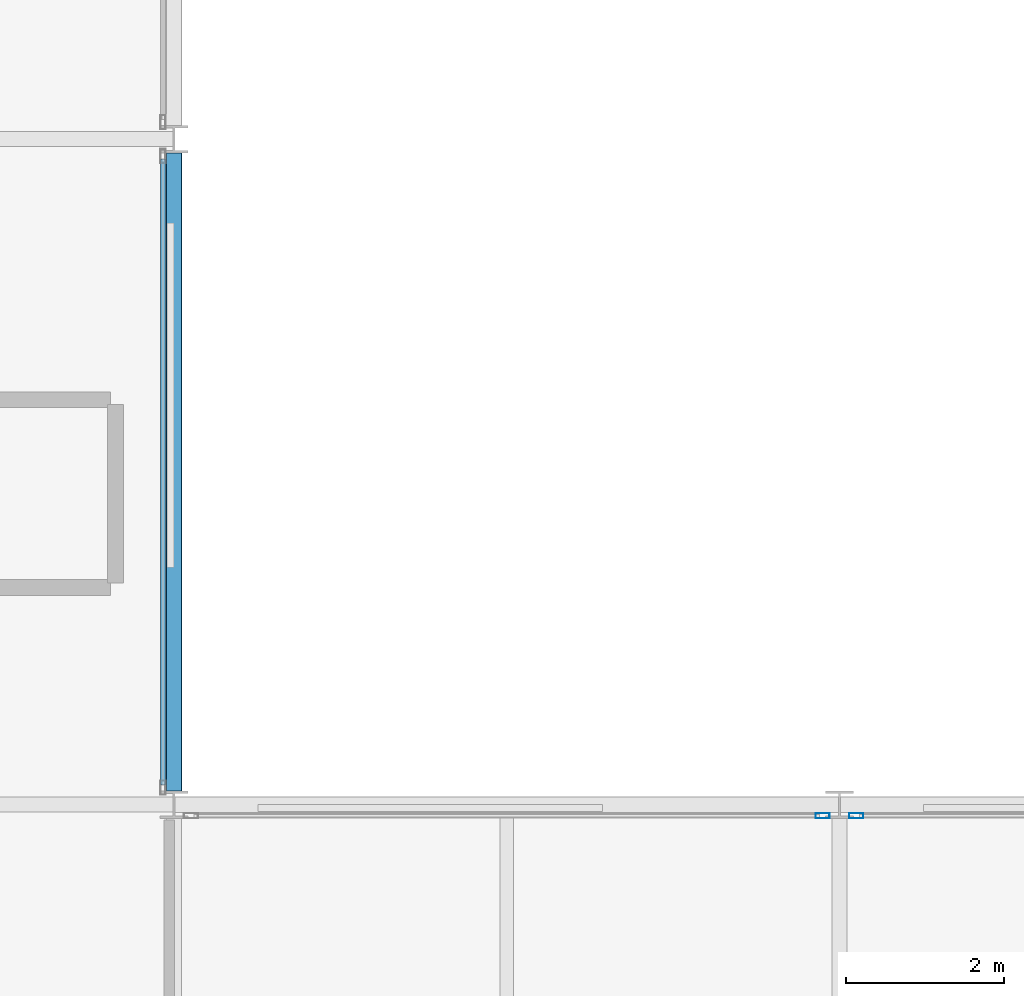
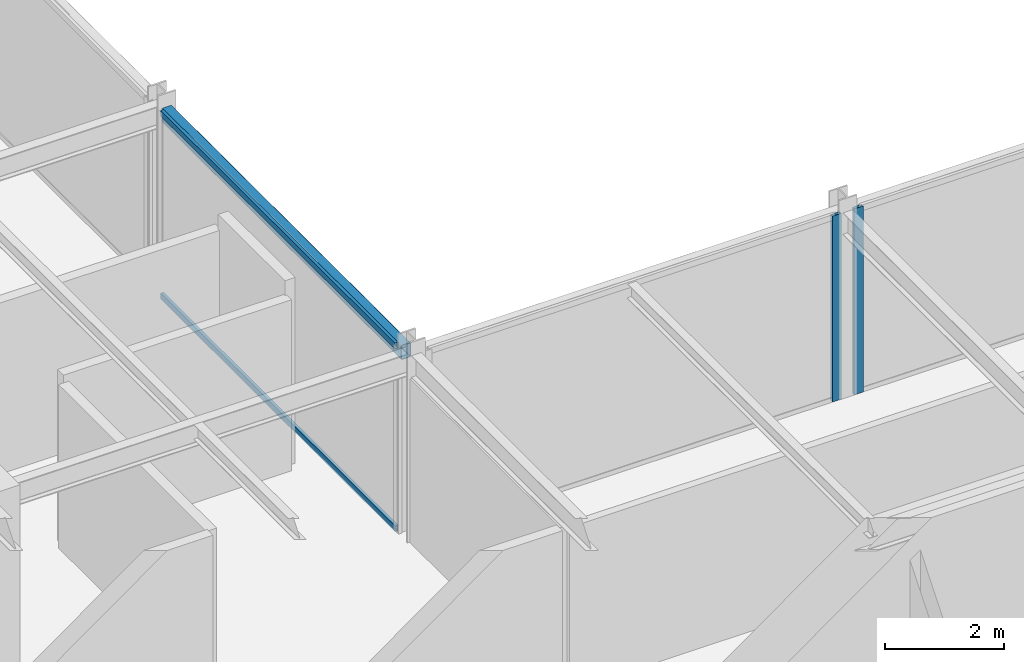
# One storey, part 15 of 29: 4 members, 1 beam, 3 elements without a shape of their own.
"""IFC4 building model written with IfcOpenShell, lengths in metres."""

from ifc_helpers import new_model, si_unit, direction, frame, origin, origin_2d, place, context, subcontext, project, spatial, hollow_rectangle, extrude, material, layer, layer_set, material_profile, profile_set, type_object, element, aggregate, save


model = new_model("IFC4")

# Units and contexts
model_context = context("Model", 3, precision=1e-05, world=origin(), true_north=direction((0.0, 1.0)))
body_context = subcontext(model_context, "Body", "Model", "MODEL_VIEW")
ifc_project = project(units=[si_unit("LENGTHUNIT", "METRE"), si_unit("AREAUNIT", "SQUARE_METRE"), si_unit("VOLUMEUNIT", "CUBIC_METRE"), si_unit("PLANEANGLEUNIT", "RADIAN"), si_unit("MASSUNIT", "GRAM", prefix="KILO")], contexts=[model_context])

# Site, building, storey
site_placement = place(None, origin())
site = spatial("IfcSite", under=ifc_project, at=site_placement, CompositionType="ELEMENT")
building_placement = place(site_placement, origin())
building = spatial("IfcBuilding", under=site, at=building_placement, Name="Nerrivon Quay Data Exchange", CompositionType="ELEMENT")
storey_placement = place(building_placement, frame((0.0, 0.0, 183.699951171875)))
storey = spatial("IfcBuildingStorey", under=building, at=storey_placement, Name="L43", CompositionType="ELEMENT", Elevation=183.699951171875)

# Beam
ifc_material_1 = material(Name="Steel Grade C350L0 (350 MPa)", Category="steel")
ifc_material_profile_1 = material_profile(ifc_material_1, hollow_rectangle(XDim=0.199951171875, YDim=0.300048828125, WallThickness=0.012451171875, InnerFilletRadius=0.018798828125, OuterFilletRadius=0.03125, at=origin_2d()), Name="300x200x12.5RHS")
ifc_profile_set_1 = profile_set([ifc_material_profile_1], Name="Steel Grade C350L0 (350 MPa)")
beam_type = type_object("IfcBeamType", Name="BM-SP3-300x200RHS", PredefinedType="SPANDREL", material=ifc_profile_set_1)
beam_placement = place(storey_placement, frame((25.199951171875, 25.375, 3.675048828125), z_axis=(0.0, 1.0, 0.0), x_axis=(-1.0, 0.0, 0.0)))
element("IfcBeam", 1, at=beam_placement, inside=storey, type_object=beam_type, Name="L43 NS Girder X=25.2 (25.2..33.6)", PredefinedType="SPANDREL", context=body_context, shape_type="SweptSolid", body=[
    extrude(hollow_rectangle(XDim=0.199951171875, YDim=0.300048828125, WallThickness=0.012451171875, InnerFilletRadius=0.018798828125, OuterFilletRadius=0.03125, at=origin_2d()), origin(), (0.0, 0.0, 1.0), 8.050048828125),
])

# Curtain wall, member
ifc_material_2 = material(Name="Anodised aluminium 6063-T6", Category="aluminium")
ifc_layer = layer(ifc_material_2, 0.195068359375)
ifc_layer_set = layer_set([ifc_layer], Name="Anodised aluminium 6063-T6")
curtain_wall_type = type_object("IfcCurtainWallType", Name="CW-SYS-06", PredefinedType="NOTDEFINED", material=ifc_layer_set)
curtain_wall_1_placement = place(storey_placement, origin())
curtain_wall_1 = element("IfcCurtainWall", 2, at=curtain_wall_1_placement, inside=storey, type_object=curtain_wall_type, Name="L43 Unitised Curtain Wall 16", PredefinedType="NOTDEFINED")
ifc_material_profile_2 = material_profile(ifc_material_2, hollow_rectangle(XDim=0.06494140625, YDim=0.179931640625, WallThickness=0.00341796875, at=origin_2d()), Name="ALU-MULL-180x65")
ifc_profile_set_2 = profile_set([ifc_material_profile_2], Name="Anodised aluminium 6063-T6")
member_type_1 = type_object("IfcMemberType", Name="CWM-180x65", PredefinedType="MULLION", material=ifc_profile_set_2)
member_1_placement = place(storey_placement, frame((33.387451171875, 25.06005859375, 0.0), z_axis=(0.0, 0.0, 1.0), x_axis=(0.0, 1.0, 0.0)))
member_1 = element("IfcMember", 3, at=member_1_placement, type_object=member_type_1, Name="CW06 mullion 2", PredefinedType="MULLION", context=body_context, shape_type="SweptSolid", body=[
    extrude(hollow_rectangle(XDim=0.06494140625, YDim=0.179931640625, WallThickness=0.00341796875, at=origin_2d()), origin(), (0.0, 0.0, 1.0), 3.824951171875),
])
aggregate(curtain_wall_1, [member_1])

curtain_wall_2_placement = place(storey_placement, origin())
curtain_wall_2 = element("IfcCurtainWall", 4, at=curtain_wall_2_placement, inside=storey, type_object=curtain_wall_type, Name="L43 Unitised Curtain Wall 17", PredefinedType="NOTDEFINED")
member_2_placement = place(storey_placement, frame((33.8125, 25.06005859375, 0.0), z_axis=(0.0, 0.0, 1.0), x_axis=(0.0, 1.0, 0.0)))
member_2 = element("IfcMember", 5, at=member_2_placement, type_object=member_type_1, Name="CW06 mullion 1", PredefinedType="MULLION", context=body_context, shape_type="SweptSolid", body=[
    extrude(hollow_rectangle(XDim=0.06494140625, YDim=0.179931640625, WallThickness=0.00341796875, at=origin_2d()), origin(), (0.0, 0.0, 1.0), 3.824951171875),
])
aggregate(curtain_wall_2, [member_2])

# Curtain wall, members
curtain_wall_3_placement = place(storey_placement, origin())
curtain_wall_3 = element("IfcCurtainWall", 6, at=curtain_wall_3_placement, inside=storey, type_object=curtain_wall_type, Name="L43 Unitised Curtain Wall 15", PredefinedType="NOTDEFINED")
ifc_material_profile_3 = material_profile(ifc_material_2, hollow_rectangle(XDim=0.06005859375, YDim=0.1201171875, WallThickness=0.003173828125, at=origin_2d()), Name="ALU-TRAN-120x60")
ifc_profile_set_3 = profile_set([ifc_material_profile_3], Name="Anodised aluminium 6063-T6")
member_type_2 = type_object("IfcMemberType", Name="CWT-120x60", PredefinedType="USERDEFINED", material=ifc_profile_set_3)
member_3_placement = place(storey_placement, frame((25.06005859375, 33.35009765625, 0.032470703125), z_axis=(0.0, -1.0, 0.0), x_axis=(1.0, 0.0, 0.0)))
member_3 = element("IfcMember", 7, at=member_3_placement, type_object=member_type_2, Name="CW06 transom 1.1", ObjectType="TRANSOM", PredefinedType="USERDEFINED", context=body_context, shape_type="SweptSolid", body=[
    extrude(hollow_rectangle(XDim=0.06005859375, YDim=0.1201171875, WallThickness=0.003173828125, at=origin_2d()), origin(), (0.0, 0.0, 1.0), 7.900146484375),
])
member_4_placement = place(storey_placement, frame((25.06005859375, 33.35009765625, 3.79248046875), z_axis=(0.0, -1.0, 0.0), x_axis=(1.0, 0.0, 0.0)))
member_4 = element("IfcMember", 8, at=member_4_placement, type_object=member_type_2, Name="CW06 transom 1.2", ObjectType="TRANSOM", PredefinedType="USERDEFINED", context=body_context, shape_type="SweptSolid", body=[
    extrude(hollow_rectangle(XDim=0.06005859375, YDim=0.1201171875, WallThickness=0.003173828125, at=origin_2d()), origin(), (0.0, 0.0, 1.0), 7.900146484375),
])
aggregate(curtain_wall_3, [member_3, member_4])

save(model, "model.ifc")
